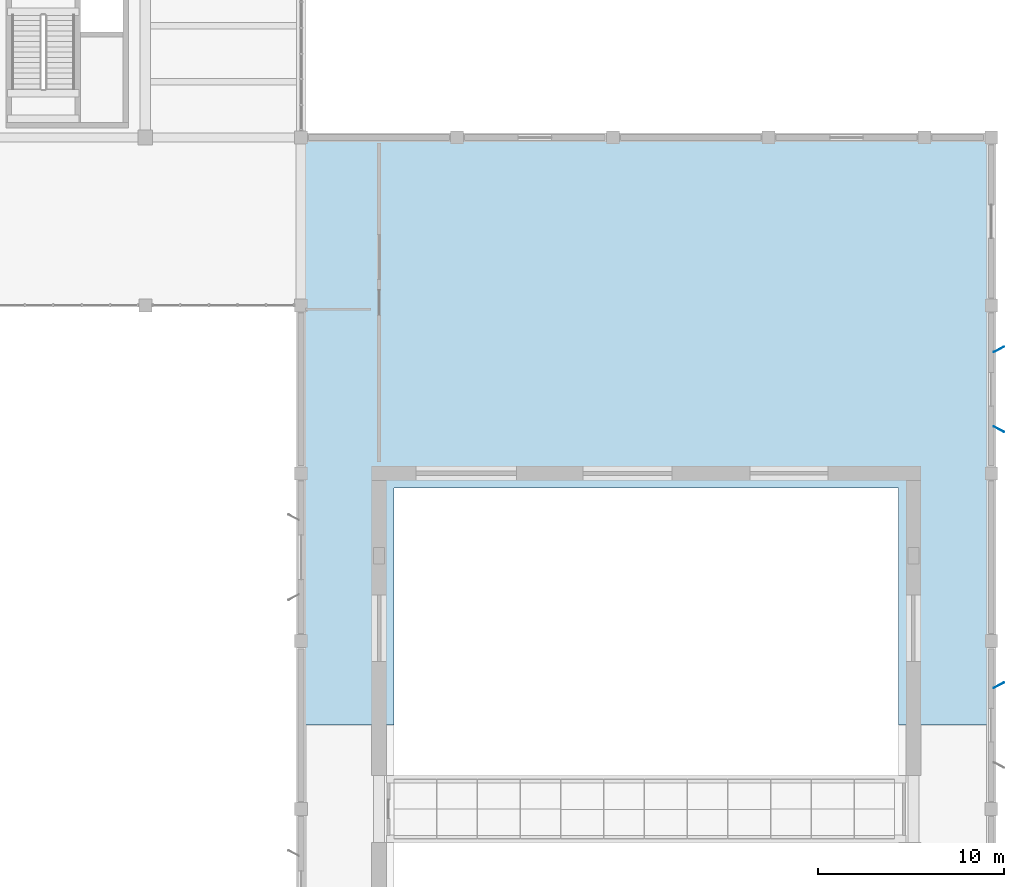
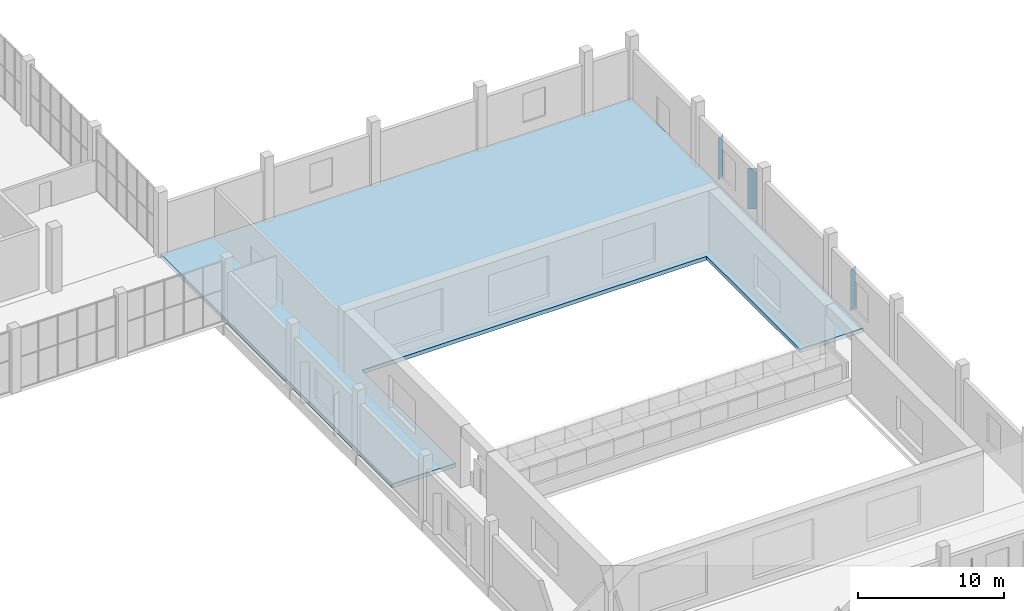
# One storey, part 75 of 91: 3 plates, 1 slab.
"""IFC4 building model written with IfcOpenShell, lengths in metres."""

from ifc_helpers import new_model, si_unit, direction, frame, origin, origin_2d, place, context, subcontext, project, spatial, polyline, rectangle, outline, extrude, material, layer, layer_set, type_object, element, save


model = new_model("IFC4")

# Units and contexts
model_context = context("Model", 3, precision=1e-05, world=origin(), true_north=direction((0.0, 1.0)))
body_context = subcontext(model_context, "Body", "Model", "MODEL_VIEW")
ifc_project = project(units=[si_unit("LENGTHUNIT", "METRE"), si_unit("AREAUNIT", "SQUARE_METRE"), si_unit("VOLUMEUNIT", "CUBIC_METRE"), si_unit("PLANEANGLEUNIT", "RADIAN"), si_unit("MASSUNIT", "GRAM", prefix="KILO")], contexts=[model_context])

# Site, building, storey
site_placement = place(None, origin())
site = spatial("IfcSite", under=ifc_project, at=site_placement, CompositionType="ELEMENT")
building_placement = place(site_placement, origin())
building = spatial("IfcBuilding", under=site, at=building_placement, Name="Khurvash Pelagic Aquarium", CompositionType="ELEMENT")
storey_placement = place(building_placement, origin())
storey = spatial("IfcBuildingStorey", under=building, at=storey_placement, Name="L00", CompositionType="ELEMENT", Elevation=0.0)

# Slab
ifc_material_1 = material(Name="Concrete C40/50", Category="concrete")
ifc_layer_1 = layer(ifc_material_1, 0.320068359375)
ifc_layer_set_1 = layer_set([ifc_layer_1], Name="Concrete C40/50")
slab_type = type_object("IfcSlabType", Name="FS-320", PredefinedType="FLOOR", material=ifc_layer_set_1)
slab_placement = place(storey_placement, frame((0.0, 0.0, -0.320068359375)))
element("IfcSlab", 1, at=slab_placement, inside=storey, type_object=slab_type, Name="L00 Structural Floor Slab FS-320 V1_TANK.2", PredefinedType="FLOOR", context=body_context, shape_type="SweptSolid", body=[
    extrude(outline(polyline([(163.199951171875, 84.050048828125), (126.0, 84.050048828125), (126.0, 52.375), (131.0, 52.375), (131.0, 65.14990234375), (158.199951171875, 65.14990234375), (158.199951171875, 52.375), (163.199951171875, 52.375), (163.199951171875, 84.050048828125)])), origin(), (0.0, 0.0, 1.0), 0.320068359375),
])

# Plates
ifc_material_2 = material(Name="Anodised aluminium AW-5005", Category="aluminium")
ifc_layer_2 = layer(ifc_material_2, 0.02392578125)
ifc_layer_set_2 = layer_set([ifc_layer_2], Name="Anodised aluminium AW-5005")
plate_type = type_object("IfcPlateType", Name="SP-01", PredefinedType="SHEET", material=ifc_layer_set_2)
for number, where, z_axis, x_axis, name in (
    (2, (163.60791015625, 54.52490234375, 0.150146484375), (0.0, 0.0, 1.0), (0.882947592859, 0.469471562786, 0.0), "L00 Parametric Folded Aluminium Solar Screen Fin SP-01 0114"),
    (3, (163.60791015625, 68.324951171875, 0.150146484375), (0.0, 0.0, 1.0), (0.882947592859, -0.469471562786, 0.0), "L00 Parametric Folded Aluminium Solar Screen Fin SP-01 0115"),
    (4, (163.60791015625, 72.625, 0.150146484375), (0.0, 0.0, 1.0), (0.882947592859, 0.469471562786, 0.0), "L00 Parametric Folded Aluminium Solar Screen Fin SP-01 0116"),
):
    element("IfcPlate", number, at=place(storey_placement, frame(where, z_axis=z_axis, x_axis=x_axis)), inside=storey, type_object=plate_type, Name=name, PredefinedType="SHEET", context=body_context, shape_type="SweptSolid", body=[
        extrude(rectangle(XDim=0.6201171875, YDim=0.02392578125, at=origin_2d()), origin(), (0.0, 0.0, 1.0), 3.39990234375),
    ])

save(model, "model.ifc")
